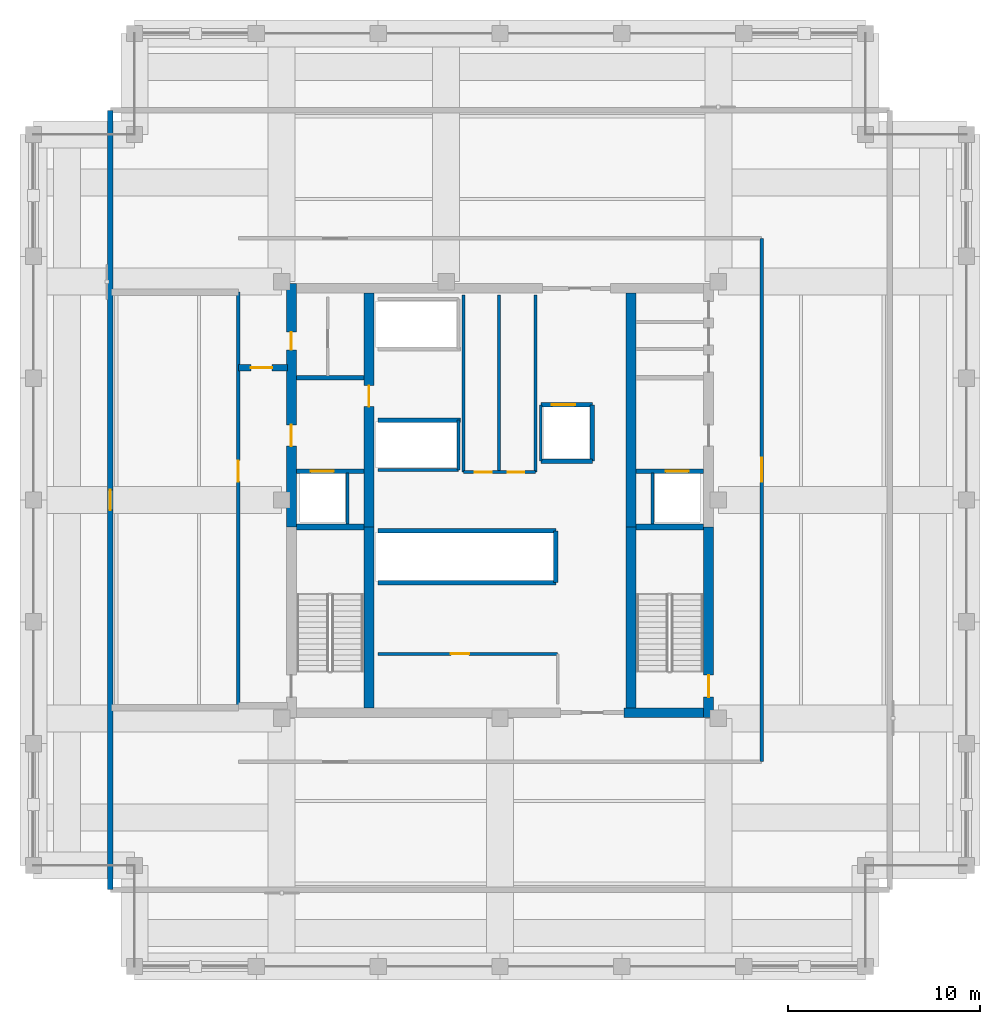
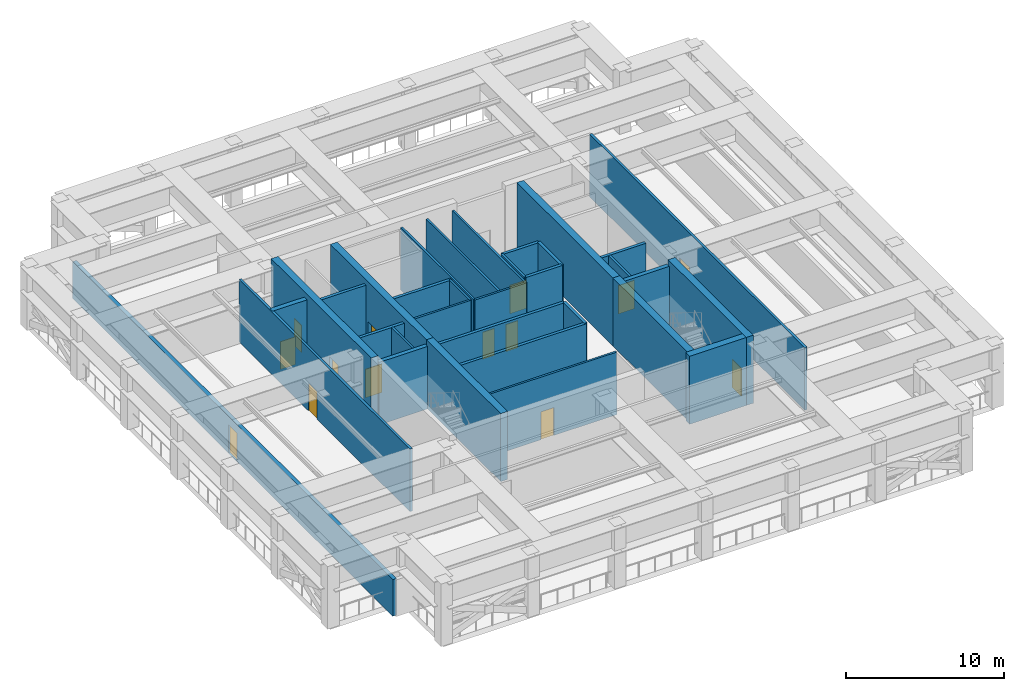
# One storey, part 3 of 10: 33 walls, 14 doors, 14 openings.
"""IFC4 building model written with IfcOpenShell, lengths in metres."""

from ifc_helpers import new_model, si_unit, direction, frame, frame_2d, origin, place, context, subcontext, project, spatial, rectangle, extrude, material, layer, layer_set, type_object, element, fill, save


model = new_model("IFC4")

# Units and contexts
model_context = context("Model", 3, precision=1e-05, world=origin(), true_north=direction((0.0, 1.0)))
body_context = subcontext(model_context, "Body", "Model", "MODEL_VIEW")
ifc_project = project(units=[si_unit("LENGTHUNIT", "METRE"), si_unit("AREAUNIT", "SQUARE_METRE"), si_unit("VOLUMEUNIT", "CUBIC_METRE"), si_unit("PLANEANGLEUNIT", "RADIAN"), si_unit("MASSUNIT", "GRAM", prefix="KILO")], contexts=[model_context])

# Site, building, storey
site_placement = place(None, origin())
site = spatial("IfcSite", under=ifc_project, at=site_placement, CompositionType="ELEMENT")
building_placement = place(site_placement, origin())
building = spatial("IfcBuilding", under=site, at=building_placement, Name="Nhamokura Convention Tower", CompositionType="ELEMENT")
storey_placement = place(building_placement, frame((0.0, 0.0, 252.35009765625)))
storey = spatial("IfcBuildingStorey", under=building, at=storey_placement, Name="L62", CompositionType="ELEMENT", Elevation=252.35009765625)

# Wall, opening, door
ifc_material_1 = material(Name="Bronze-pigmented precast concrete C45/55", Category="concrete")
ifc_layer_1 = layer(ifc_material_1, 0.280029296875)
ifc_layer_set_1 = layer_set([ifc_layer_1], Name="BronzePrecastSpandrel_280")
wall_type_1 = type_object("IfcWallType", Name="BronzePrecastSpandrel_280", PredefinedType="USERDEFINED", material=ifc_layer_set_1)
wall_1_placement = place(storey_placement, frame((11.75, 11.75, 0.0), z_axis=(0.0, 0.0, 1.0), x_axis=(0.0, 1.0, 0.0)))
wall_1 = element("IfcWall", 1, at=wall_1_placement, inside=storey, type_object=wall_type_1, Name="L62 Refuge Deck Enclosure Wall W", ObjectType="SPANDREL_WALL", PredefinedType="USERDEFINED", context=body_context, shape_type="SweptSolid", body=[
    extrude(rectangle(XDim=40.5, YDim=0.280029296875, at=frame_2d((20.25, 0.0))), origin(), (0.0, 0.0, 1.0), 2.829833984375),
])
opening_1_placement = place(wall_1_placement, frame((19.72509765625, 0.0, 0.0)))
opening_1 = element("IfcOpeningElement", 2, at=opening_1_placement, cuts=wall_1, Name="Opening D-06", PredefinedType="OPENING", context=body_context, shape_type="SweptSolid", body=[
    extrude(rectangle(XDim=1.050048828125, YDim=2.199951171875, at=frame_2d((0.52490234375, 1.10009765625))), frame((0.0, 0.14990234375, 0.0), z_axis=(0.0, -1.0, 0.0), x_axis=(1.0, 0.0, 0.0)), (0.0, 0.0, 1.0), 0.300048828125),
])
ifc_material_2 = material(Name="Anodised bronze aluminium AA6063-T6", Category="aluminium")
door_type_1 = type_object("IfcDoorType", Name="TerraceAccessDoor_1050", OperationType="NOTDEFINED", PredefinedType="DOOR", material=ifc_material_2)
door_1_placement = place(opening_1_placement, origin())
door_1 = element("IfcDoor", 3, at=door_1_placement, inside=storey, type_object=door_type_1, Name="L62 Refuge Deck Access Door W", OperationType="SINGLE_SWING_RIGHT", OverallHeight=2.199951171875, OverallWidth=1.050048828125, PredefinedType="DOOR", context=body_context, shape_type="SweptSolid", body=[
    extrude(rectangle(XDim=1.050048828125, YDim=2.199951171875, at=frame_2d((0.52490234375, 1.10009765625))), frame((0.0, 0.02490234375, 0.0), z_axis=(0.0, -1.0, 0.0), x_axis=(1.0, 0.0, 0.0)), (0.0, 0.0, 1.0), 0.050048828125),
])
fill(opening_1, door_1)

# Wall, openings, doors
ifc_material_3 = material(Name="Concrete C60/75", Category="concrete")
ifc_layer_2 = layer(ifc_material_3, 0.5)
ifc_layer_set_2 = layer_set([ifc_layer_2], Name="CoreShearWall_500")
wall_type_2 = type_object("IfcWallType", Name="CoreShearWall_500", PredefinedType="SHEAR", material=ifc_layer_set_2)
wall_2_placement = place(storey_placement, frame((21.159912109375, 30.60009765625, 0.0), z_axis=(0.0, 0.0, 1.0), x_axis=(0.0, 1.0, 0.0)))
wall_2 = element("IfcWall", 4, at=wall_2_placement, inside=storey, type_object=wall_type_2, Name="L62 Core Shear Wall CW-WN", PredefinedType="SHEAR", context=body_context, shape_type="SweptSolid", body=[
    extrude(rectangle(XDim=12.64990234375, YDim=0.5, at=frame_2d((6.324951171875, 0.0))), origin(), (0.0, 0.0, 1.0), 5.25),
])
opening_2_placement = place(wall_2_placement, frame((4.199951171875, 0.0, 0.0)))
opening_2 = element("IfcOpeningElement", 5, at=opening_2_placement, cuts=wall_2, Name="Opening D-05", PredefinedType="OPENING", context=body_context, shape_type="SweptSolid", body=[
    extrude(rectangle(XDim=1.10009765625, YDim=2.14990234375, at=frame_2d((0.550048828125, 1.074951171875))), frame((0.0, 0.260009765625, 0.0), z_axis=(0.0, -1.0, 0.0), x_axis=(1.0, 0.0, 0.0)), (0.0, 0.0, 1.0), 0.52001953125),
])
opening_3_placement = place(wall_2_placement, frame((9.199951171875, 0.0, 0.0)))
opening_3 = element("IfcOpeningElement", 6, at=opening_3_placement, cuts=wall_2, Name="Opening D-10", PredefinedType="OPENING", context=body_context, shape_type="SweptSolid", body=[
    extrude(rectangle(XDim=0.919921875, YDim=2.10009765625, at=frame_2d((0.4599609375, 1.050048828125))), frame((0.0, 0.260009765625, 0.0), z_axis=(0.0, -1.0, 0.0), x_axis=(1.0, 0.0, 0.0)), (0.0, 0.0, 1.0), 0.52001953125),
])
ifc_material_4 = material(Name="Solid oak hardwood", Category="wood")
door_type_2 = type_object("IfcDoorType", Name="AccessibleWCDoor_920", OperationType="NOTDEFINED", PredefinedType="DOOR", material=ifc_material_4)
door_2_placement = place(opening_3_placement, origin())
door_2 = element("IfcDoor", 7, at=door_2_placement, inside=storey, type_object=door_type_2, Name="L62 Core Door INT-L62-D-AWCW", OperationType="SINGLE_SWING_RIGHT", OverallHeight=2.10009765625, OverallWidth=0.919921875, PredefinedType="DOOR", context=body_context, shape_type="SweptSolid", body=[
    extrude(rectangle(XDim=0.919921875, YDim=2.10009765625, at=frame_2d((0.4599609375, 1.050048828125))), frame((0.0, 0.02490234375, 0.0), z_axis=(0.0, -1.0, 0.0), x_axis=(1.0, 0.0, 0.0)), (0.0, 0.0, 1.0), 0.050048828125),
])
fill(opening_3, door_2)
ifc_material_5 = material(Name="Fire-rated steel door", Category="steel")
door_type_3 = type_object("IfcDoorType", Name="FireLobbyDoor_1100", OperationType="NOTDEFINED", PredefinedType="DOOR", material=ifc_material_5)
door_3_placement = place(opening_2_placement, origin())
door_3 = element("IfcDoor", 8, at=door_3_placement, inside=storey, type_object=door_type_3, Name="L62 Core Door INT-L62-D-FFLW", OperationType="SINGLE_SWING_RIGHT", OverallHeight=2.14990234375, OverallWidth=1.10009765625, PredefinedType="DOOR", context=body_context, shape_type="SweptSolid", body=[
    extrude(rectangle(XDim=1.10009765625, YDim=2.14990234375, at=frame_2d((0.550048828125, 1.074951171875))), frame((0.0, 0.02490234375, 0.0), z_axis=(0.0, -1.0, 0.0), x_axis=(1.0, 0.0, 0.0)), (0.0, 0.0, 1.0), 0.050048828125),
])
fill(opening_2, door_3)

# Wall, opening, door
wall_3_placement = place(storey_placement, frame((42.840087890625, 20.699951171875, 0.0), z_axis=(0.0, 0.0, 1.0), x_axis=(0.0, 1.0, 0.0)))
wall_3 = element("IfcWall", 9, at=wall_3_placement, inside=storey, type_object=wall_type_2, Name="L62 Core Shear Wall CW-ES", PredefinedType="SHEAR", context=body_context, shape_type="SweptSolid", body=[
    extrude(rectangle(XDim=9.900146484375, YDim=0.5, at=frame_2d((4.9501953125, 0.0))), origin(), (0.0, 0.0, 1.0), 5.25),
])
opening_4_placement = place(wall_3_placement, frame((1.050048828125, 0.0, 0.0)))
opening_4 = element("IfcOpeningElement", 10, at=opening_4_placement, cuts=wall_3, Name="Opening D-04", PredefinedType="OPENING", context=body_context, shape_type="SweptSolid", body=[
    extrude(rectangle(XDim=1.14990234375, YDim=2.14990234375, at=frame_2d((0.574951171875, 1.074951171875))), frame((0.0, 0.260009765625, 0.0), z_axis=(0.0, -1.0, 0.0), x_axis=(1.0, 0.0, 0.0)), (0.0, 0.0, 1.0), 0.52001953125),
])
ifc_material_6 = material(Name="Fire-rated steel door", Category="steel")
door_type_4 = type_object("IfcDoorType", Name="StairSmokeDoor_1150", OperationType="NOTDEFINED", PredefinedType="DOOR", material=ifc_material_6)
door_4_placement = place(opening_4_placement, origin())
door_4 = element("IfcDoor", 11, at=door_4_placement, inside=storey, type_object=door_type_4, Name="L62 Core Door INT-L62-D-ST02", OperationType="SINGLE_SWING_RIGHT", OverallHeight=2.14990234375, OverallWidth=1.14990234375, PredefinedType="DOOR", context=body_context, shape_type="SweptSolid", body=[
    extrude(rectangle(XDim=1.14990234375, YDim=2.14990234375, at=frame_2d((0.574951171875, 1.074951171875))), frame((0.0, 0.02490234375, 0.0), z_axis=(0.0, -1.0, 0.0), x_axis=(1.0, 0.0, 0.0)), (0.0, 0.0, 1.0), 0.050048828125),
])
fill(opening_4, door_4)

# Walls
wall_4_placement = place(storey_placement, frame((38.449951171875, 20.949951171875, 0.0), z_axis=(0.0, 0.0, 1.0), x_axis=(1.0, 0.0, 0.0)))
element("IfcWall", 12, at=wall_4_placement, inside=storey, type_object=wall_type_2, Name="L62 Core Shear Wall CW-S2", PredefinedType="SHEAR", context=body_context, shape_type="SweptSolid", body=[
    extrude(rectangle(XDim=4.14013671875, YDim=0.5, at=frame_2d((2.070068359375, 0.0))), origin(), (0.0, 0.0, 1.0), 5.25),
])
wall_5_placement = place(storey_placement, frame((25.18994140625, 21.199951171875, 0.0), z_axis=(0.0, 0.0, 1.0), x_axis=(0.0, 1.0, 0.0)))
element("IfcWall", 13, at=wall_5_placement, inside=storey, type_object=wall_type_2, Name="L62 Core Shear Wall CW-IWS", PredefinedType="SHEAR", context=body_context, shape_type="SweptSolid", body=[
    extrude(rectangle(XDim=9.400146484375, YDim=0.5, at=frame_2d((4.7001953125, 0.0))), origin(), (0.0, 0.0, 1.0), 5.25),
])

# Wall, opening, door
wall_6_placement = place(storey_placement, frame((25.18994140625, 30.60009765625, 0.0), z_axis=(0.0, 0.0, 1.0), x_axis=(0.0, 1.0, 0.0)))
wall_6 = element("IfcWall", 14, at=wall_6_placement, inside=storey, type_object=wall_type_2, Name="L62 Core Shear Wall CW-IWN", PredefinedType="SHEAR", context=body_context, shape_type="SweptSolid", body=[
    extrude(rectangle(XDim=12.14990234375, YDim=0.5, at=frame_2d((6.074951171875, 0.0))), origin(), (0.0, 0.0, 1.0), 5.25),
])
opening_5_placement = place(wall_6_placement, frame((6.25, 0.0, 0.0)))
opening_5 = element("IfcOpeningElement", 15, at=opening_5_placement, cuts=wall_6, Name="Opening D-05", PredefinedType="OPENING", context=body_context, shape_type="SweptSolid", body=[
    extrude(rectangle(XDim=1.10009765625, YDim=2.14990234375, at=frame_2d((0.550048828125, 1.074951171875))), frame((0.0, 0.260009765625, 0.0), z_axis=(0.0, -1.0, 0.0), x_axis=(1.0, 0.0, 0.0)), (0.0, 0.0, 1.0), 0.52001953125),
])
door_5_placement = place(opening_5_placement, origin())
door_5 = element("IfcDoor", 16, at=door_5_placement, inside=storey, type_object=door_type_3, Name="L62 Core Door INT-L62-D-B3LOB", OperationType="SINGLE_SWING_LEFT", OverallHeight=2.14990234375, OverallWidth=1.10009765625, PredefinedType="DOOR", context=body_context, shape_type="SweptSolid", body=[
    extrude(rectangle(XDim=1.10009765625, YDim=2.14990234375, at=frame_2d((0.550048828125, 1.074951171875))), frame((0.0, 0.02490234375, 0.0), z_axis=(0.0, -1.0, 0.0), x_axis=(1.0, 0.0, 0.0)), (0.0, 0.0, 1.0), 0.050048828125),
])
fill(opening_5, door_5)

# Walls
wall_7_placement = place(storey_placement, frame((38.81005859375, 21.199951171875, 0.0), z_axis=(0.0, 0.0, 1.0), x_axis=(0.0, 1.0, 0.0)))
element("IfcWall", 17, at=wall_7_placement, inside=storey, type_object=wall_type_2, Name="L62 Core Shear Wall CW-IES", PredefinedType="SHEAR", context=body_context, shape_type="SweptSolid", body=[
    extrude(rectangle(XDim=9.400146484375, YDim=0.5, at=frame_2d((4.7001953125, 0.0))), origin(), (0.0, 0.0, 1.0), 5.25),
])
wall_8_placement = place(storey_placement, frame((38.81005859375, 30.60009765625, 0.0), z_axis=(0.0, 0.0, 1.0), x_axis=(0.0, 1.0, 0.0)))
element("IfcWall", 18, at=wall_8_placement, inside=storey, type_object=wall_type_2, Name="L62 Core Shear Wall CW-IEN", PredefinedType="SHEAR", context=body_context, shape_type="SweptSolid", body=[
    extrude(rectangle(XDim=12.14990234375, YDim=0.5, at=frame_2d((6.074951171875, 0.0))), origin(), (0.0, 0.0, 1.0), 5.25),
])

# Wall, opening, door
ifc_material_7 = material(Name="Fire-rated gypsum and masonry partition", Category="masonry")
ifc_layer_3 = layer(ifc_material_7, 0.179931640625)
ifc_layer_set_3 = layer_set([ifc_layer_3], Name="CorridorRatedWall_180")
wall_type_3 = type_object("IfcWallType", Name="CorridorRatedWall_180", PredefinedType="STANDARD", material=ifc_layer_set_3)
wall_9_placement = place(storey_placement, frame((18.39990234375, 21.199951171875, 0.0), z_axis=(0.0, 0.0, 1.0), x_axis=(0.0, 1.0, 0.0)))
wall_9 = element("IfcWall", 19, at=wall_9_placement, inside=storey, type_object=wall_type_3, Name="L62 Wall INT-L62-CW-W00", PredefinedType="STANDARD", context=body_context, shape_type="SweptSolid", body=[
    extrude(rectangle(XDim=21.60009765625, YDim=0.179931640625, at=frame_2d((10.800048828125, 0.0))), origin(), (0.0, 0.0, 1.0), 4.829833984375),
])
opening_6_placement = place(wall_9_placement, frame((11.75, 0.0, 0.0)))
opening_6 = element("IfcOpeningElement", 20, at=opening_6_placement, cuts=wall_9, Name="Opening D-05", PredefinedType="OPENING", context=body_context, shape_type="SweptSolid", body=[
    extrude(rectangle(XDim=1.10009765625, YDim=2.14990234375, at=frame_2d((0.550048828125, 1.074951171875))), frame((0.0, 0.099853515625, 0.0), z_axis=(0.0, -1.0, 0.0), x_axis=(1.0, 0.0, 0.0)), (0.0, 0.0, 1.0), 0.199951171875),
])
door_6_placement = place(opening_6_placement, origin())
door_6 = element("IfcDoor", 21, at=door_6_placement, inside=storey, type_object=door_type_3, Name="L62 Designated Fire Refuge Area W01 Door", OperationType="SINGLE_SWING_LEFT", OverallHeight=2.14990234375, OverallWidth=1.10009765625, PredefinedType="DOOR", context=body_context, shape_type="SweptSolid", body=[
    extrude(rectangle(XDim=1.10009765625, YDim=2.14990234375, at=frame_2d((0.550048828125, 1.074951171875))), frame((0.0, 0.02490234375, 0.0), z_axis=(0.0, -1.0, 0.0), x_axis=(1.0, 0.0, 0.0)), (0.0, 0.0, 1.0), 0.050048828125),
])
fill(opening_6, door_6)

wall_10_placement = place(storey_placement, frame((45.60009765625, 18.39990234375, 0.0), z_axis=(0.0, 0.0, 1.0), x_axis=(0.0, 1.0, 0.0)))
wall_10 = element("IfcWall", 22, at=wall_10_placement, inside=storey, type_object=wall_type_3, Name="L62 Wall INT-L62-CW-E00", PredefinedType="STANDARD", context=body_context, shape_type="SweptSolid", body=[
    extrude(rectangle(XDim=27.2001953125, YDim=0.179931640625, at=frame_2d((13.60009765625, 0.0))), origin(), (0.0, 0.0, 1.0), 4.829833984375),
])
opening_7_placement = place(wall_10_placement, frame((14.550048828125, 0.0, 0.0)))
opening_7 = element("IfcOpeningElement", 23, at=opening_7_placement, cuts=wall_10, Name="Opening D-12", PredefinedType="OPENING", context=body_context, shape_type="SweptSolid", body=[
    extrude(rectangle(XDim=1.25, YDim=2.199951171875, at=frame_2d((0.625, 1.10009765625))), frame((0.0, 0.099853515625, 0.0), z_axis=(0.0, -1.0, 0.0), x_axis=(1.0, 0.0, 0.0)), (0.0, 0.0, 1.0), 0.199951171875),
])
ifc_material_8 = material(Name="Fire-rated steel door", Category="steel")
door_type_5 = type_object("IfcDoorType", Name="PlantServiceDoor_1250", OperationType="NOTDEFINED", PredefinedType="DOOR", material=ifc_material_8)
door_7_placement = place(opening_7_placement, origin())
door_7 = element("IfcDoor", 24, at=door_7_placement, inside=storey, type_object=door_type_5, Name="L62 Chilled-Water Heat Exchanger Plant E01 Door", OperationType="SINGLE_SWING_LEFT", OverallHeight=2.199951171875, OverallWidth=1.25, PredefinedType="DOOR", context=body_context, shape_type="SweptSolid", body=[
    extrude(rectangle(XDim=1.25, YDim=2.199951171875, at=frame_2d((0.625, 1.10009765625))), frame((0.0, 0.02490234375, 0.0), z_axis=(0.0, -1.0, 0.0), x_axis=(1.0, 0.0, 0.0)), (0.0, 0.0, 1.0), 0.050048828125),
])
fill(opening_7, door_7)

ifc_material_9 = material(Name="Autoclaved concrete blockwork", Category="masonry")
ifc_layer_4 = layer(ifc_material_9, 0.219970703125)
ifc_layer_set_4 = layer_set([ifc_layer_4], Name="FireLobbyWall_220")
wall_type_4 = type_object("IfcWallType", Name="FireLobbyWall_220", PredefinedType="STANDARD", material=ifc_layer_set_4)
wall_11_placement = place(storey_placement, frame((21.409912109375, 33.5, 0.0), z_axis=(0.0, 0.0, 1.0), x_axis=(1.0, 0.0, 0.0)))
wall_11 = element("IfcWall", 25, at=wall_11_placement, inside=storey, type_object=wall_type_4, Name="L62 Wall INT-L62-FFW-S", PredefinedType="STANDARD", context=body_context, shape_type="SweptSolid", body=[
    extrude(rectangle(XDim=3.530029296875, YDim=0.219970703125, at=frame_2d((1.76513671875, 0.0))), origin(), (0.0, 0.0, 1.0), 4.829833984375),
])
opening_8_placement = place(wall_11_placement, frame((0.75, 0.0, 0.0)))
opening_8 = element("IfcOpeningElement", 26, at=opening_8_placement, cuts=wall_11, Name="Opening LD-02", PredefinedType="OPENING", context=body_context, shape_type="SweptSolid", body=[
    extrude(rectangle(XDim=1.199951171875, YDim=2.199951171875, at=frame_2d((0.60009765625, 1.10009765625))), frame((0.0, 0.119873046875, 0.0), z_axis=(0.0, -1.0, 0.0), x_axis=(1.0, 0.0, 0.0)), (0.0, 0.0, 1.0), 0.239990234375),
])
ifc_material_10 = material(Name="Anodised bronze stainless steel", Category="steel")
door_type_6 = type_object("IfcDoorType", Name="LiftLandingDoor_FireService", OperationType="DOUBLE_DOOR_SLIDING", PredefinedType="DOOR", material=ifc_material_10)
door_8_placement = place(opening_8_placement, origin())
door_8 = element("IfcDoor", 27, at=door_8_placement, inside=storey, type_object=door_type_6, Name="L62 Firefighting Lift LF-01 Door", OperationType="DOUBLE_DOOR_SLIDING", OverallHeight=2.199951171875, OverallWidth=1.199951171875, PredefinedType="DOOR", context=body_context, shape_type="SweptSolid", body=[
    extrude(rectangle(XDim=1.199951171875, YDim=2.199951171875, at=frame_2d((0.60009765625, 1.10009765625))), frame((0.0, 0.02490234375, 0.0), z_axis=(0.0, -1.0, 0.0), x_axis=(1.0, 0.0, 0.0)), (0.0, 0.0, 1.0), 0.050048828125),
])
fill(opening_8, door_8)

wall_12_placement = place(storey_placement, frame((39.06005859375, 33.5, 0.0), z_axis=(0.0, 0.0, 1.0), x_axis=(1.0, 0.0, 0.0)))
wall_12 = element("IfcWall", 28, at=wall_12_placement, inside=storey, type_object=wall_type_4, Name="L62 Wall INT-L62-FFE-S", PredefinedType="STANDARD", context=body_context, shape_type="SweptSolid", body=[
    extrude(rectangle(XDim=3.530029296875, YDim=0.219970703125, at=frame_2d((1.76513671875, 0.0))), origin(), (0.0, 0.0, 1.0), 4.829833984375),
])
opening_9_placement = place(wall_12_placement, frame((1.550048828125, 0.0, 0.0)))
opening_9 = element("IfcOpeningElement", 29, at=opening_9_placement, cuts=wall_12, Name="Opening LD-02", PredefinedType="OPENING", context=body_context, shape_type="SweptSolid", body=[
    extrude(rectangle(XDim=1.199951171875, YDim=2.199951171875, at=frame_2d((0.60009765625, 1.10009765625))), frame((0.0, 0.119873046875, 0.0), z_axis=(0.0, -1.0, 0.0), x_axis=(1.0, 0.0, 0.0)), (0.0, 0.0, 1.0), 0.239990234375),
])
door_9_placement = place(opening_9_placement, origin())
door_9 = element("IfcDoor", 30, at=door_9_placement, inside=storey, type_object=door_type_6, Name="L62 Firefighting Lift LF-02 Door", OperationType="DOUBLE_DOOR_SLIDING", OverallHeight=2.199951171875, OverallWidth=1.199951171875, PredefinedType="DOOR", context=body_context, shape_type="SweptSolid", body=[
    extrude(rectangle(XDim=1.199951171875, YDim=2.199951171875, at=frame_2d((0.60009765625, 1.10009765625))), frame((0.0, 0.02490234375, 0.0), z_axis=(0.0, -1.0, 0.0), x_axis=(1.0, 0.0, 0.0)), (0.0, 0.0, 1.0), 0.050048828125),
])
fill(opening_9, door_9)

# Walls
wall_13_placement = place(storey_placement, frame((21.409912109375, 38.35009765625, 0.0), z_axis=(0.0, 0.0, 1.0), x_axis=(1.0, 0.0, 0.0)))
element("IfcWall", 31, at=wall_13_placement, inside=storey, type_object=wall_type_4, Name="L62 Wall INT-L62-FFW-N", PredefinedType="STANDARD", context=body_context, shape_type="SweptSolid", body=[
    extrude(rectangle(XDim=3.530029296875, YDim=0.219970703125, at=frame_2d((1.76513671875, 0.0))), origin(), (0.0, 0.0, 1.0), 4.829833984375),
])
for number, where, z_axis, x_axis, name in (
    (32, (25.64990234375, 27.699951171875, 0.0), (0.0, 0.0, 1.0), (1.0, 0.0, 0.0), "L62 Wall INT-L62-B2S"),
    (33, (25.64990234375, 30.39990234375, 0.0), (0.0, 0.0, 1.0), (1.0, 0.0, 0.0), "L62 Wall INT-L62-B2N"),
):
    element("IfcWall", number, at=place(storey_placement, frame(where, z_axis=z_axis, x_axis=x_axis)), inside=storey, type_object=wall_type_4, Name=name, PredefinedType="STANDARD", context=body_context, shape_type="SweptSolid", body=[
        extrude(rectangle(XDim=9.25, YDim=0.219970703125, at=frame_2d((4.625, 0.0))), origin(), (0.0, 0.0, 1.0), 4.829833984375),
    ])
wall_14_placement = place(storey_placement, frame((34.89990234375, 27.699951171875, 0.0), z_axis=(0.0, 0.0, 1.0), x_axis=(0.0, 1.0, 0.0)))
element("IfcWall", 34, at=wall_14_placement, inside=storey, type_object=wall_type_4, Name="L62 Wall INT-L62-B2E", PredefinedType="STANDARD", context=body_context, shape_type="SweptSolid", body=[
    extrude(rectangle(XDim=2.699951171875, YDim=0.219970703125, at=frame_2d((1.35009765625, 0.0))), origin(), (0.0, 0.0, 1.0), 4.829833984375),
])
wall_15_placement = place(storey_placement, frame((25.64990234375, 36.14990234375, 0.0), z_axis=(0.0, 0.0, 1.0), x_axis=(1.0, 0.0, 0.0)))
element("IfcWall", 35, at=wall_15_placement, inside=storey, type_object=wall_type_4, Name="L62 Wall INT-L62-B3S", PredefinedType="STANDARD", context=body_context, shape_type="SweptSolid", body=[
    extrude(rectangle(XDim=4.300048828125, YDim=0.219970703125, at=frame_2d((2.14990234375, 0.0))), origin(), (0.0, 0.0, 1.0), 4.829833984375),
])

# Wall, opening, door
wall_16_placement = place(storey_placement, frame((34.1201171875, 36.949951171875, 0.0), z_axis=(0.0, 0.0, 1.0), x_axis=(1.0, 0.0, 0.0)))
wall_16 = element("IfcWall", 36, at=wall_16_placement, inside=storey, type_object=wall_type_4, Name="L62 Wall INT-L62-LSN", PredefinedType="STANDARD", context=body_context, shape_type="SweptSolid", body=[
    extrude(rectangle(XDim=2.679931640625, YDim=0.219970703125, at=frame_2d((1.33984375, 0.0))), origin(), (0.0, 0.0, 1.0), 4.829833984375),
])
opening_10_placement = place(wall_16_placement, frame((0.580078125, 0.0, 0.0)))
opening_10 = element("IfcOpeningElement", 37, at=opening_10_placement, cuts=wall_16, Name="Opening LD-02", PredefinedType="OPENING", context=body_context, shape_type="SweptSolid", body=[
    extrude(rectangle(XDim=1.199951171875, YDim=2.199951171875, at=frame_2d((0.60009765625, 1.10009765625))), frame((0.0, 0.119873046875, 0.0), z_axis=(0.0, -1.0, 0.0), x_axis=(1.0, 0.0, 0.0)), (0.0, 0.0, 1.0), 0.239990234375),
])
door_10_placement = place(opening_10_placement, origin())
door_10 = element("IfcDoor", 38, at=door_10_placement, inside=storey, type_object=door_type_6, Name="L62 Service Lift LS-01 Door", OperationType="DOUBLE_DOOR_SLIDING", OverallHeight=2.199951171875, OverallWidth=1.199951171875, PredefinedType="DOOR", context=body_context, shape_type="SweptSolid", body=[
    extrude(rectangle(XDim=1.199951171875, YDim=2.199951171875, at=frame_2d((0.60009765625, 1.10009765625))), frame((0.0, 0.02490234375, 0.0), z_axis=(0.0, -1.0, 0.0), x_axis=(1.0, 0.0, 0.0)), (0.0, 0.0, 1.0), 0.050048828125),
])
fill(opening_10, door_10)

# Walls
wall_17_placement = place(storey_placement, frame((36.800048828125, 34.02001953125, 0.0), z_axis=(0.0, 0.0, 1.0), x_axis=(0.0, 1.0, 0.0)))
element("IfcWall", 39, at=wall_17_placement, inside=storey, type_object=wall_type_4, Name="L62 Wall INT-L62-LSE", PredefinedType="STANDARD", context=body_context, shape_type="SweptSolid", body=[
    extrude(rectangle(XDim=2.929931640625, YDim=0.219970703125, at=frame_2d((1.46484375, 0.0))), origin(), (0.0, 0.0, 1.0), 4.829833984375),
])
wall_18_placement = place(storey_placement, frame((34.1201171875, 34.02001953125, 0.0), z_axis=(0.0, 0.0, 1.0), x_axis=(1.0, 0.0, 0.0)))
element("IfcWall", 40, at=wall_18_placement, inside=storey, type_object=wall_type_4, Name="L62 Wall INT-L62-LSS", PredefinedType="STANDARD", context=body_context, shape_type="SweptSolid", body=[
    extrude(rectangle(XDim=2.679931640625, YDim=0.219970703125, at=frame_2d((1.33984375, 0.0))), origin(), (0.0, 0.0, 1.0), 4.829833984375),
])

# Wall, opening, door
ifc_material_11 = material(Name="Concrete C50/60", Category="concrete")
ifc_layer_5 = layer(ifc_material_11, 0.35009765625)
ifc_layer_set_5 = layer_set([ifc_layer_5], Name="FirewallPlant_350")
wall_type_5 = type_object("IfcWallType", Name="FirewallPlant_350", PredefinedType="STANDARD", material=ifc_layer_set_5)
wall_19_placement = place(storey_placement, frame((18.39990234375, 38.8798828125, 0.0), z_axis=(0.0, 0.0, 1.0), x_axis=(1.0, 0.0, 0.0)))
wall_19 = element("IfcWall", 41, at=wall_19_placement, inside=storey, type_object=wall_type_5, Name="L62 Wall INT-L62-RLOB-N", PredefinedType="STANDARD", context=body_context, shape_type="SweptSolid", body=[
    extrude(rectangle(XDim=2.550048828125, YDim=0.35009765625, at=frame_2d((1.27490234375, 0.0))), origin(), (0.0, 0.0, 1.0), 4.829833984375),
])
opening_11_placement = place(wall_19_placement, frame((0.64990234375, 0.0, 0.0)))
opening_11 = element("IfcOpeningElement", 42, at=opening_11_placement, cuts=wall_19, Name="Opening D-05", PredefinedType="OPENING", context=body_context, shape_type="SweptSolid", body=[
    extrude(rectangle(XDim=1.10009765625, YDim=2.14990234375, at=frame_2d((0.550048828125, 1.074951171875))), frame((0.0, 0.18505859375, 0.0), z_axis=(0.0, -1.0, 0.0), x_axis=(1.0, 0.0, 0.0)), (0.0, 0.0, 1.0), 0.3701171875),
])
door_11_placement = place(opening_11_placement, origin())
door_11 = element("IfcDoor", 43, at=door_11_placement, inside=storey, type_object=door_type_3, Name="L62 Refuge Lobby North Door", OperationType="SINGLE_SWING_RIGHT", OverallHeight=2.14990234375, OverallWidth=1.10009765625, PredefinedType="DOOR", context=body_context, shape_type="SweptSolid", body=[
    extrude(rectangle(XDim=1.10009765625, YDim=2.14990234375, at=frame_2d((0.550048828125, 1.074951171875))), frame((0.0, 0.02490234375, 0.0), z_axis=(0.0, -1.0, 0.0), x_axis=(1.0, 0.0, 0.0)), (0.0, 0.0, 1.0), 0.050048828125),
])
fill(opening_11, door_11)

# Walls
ifc_material_12 = material(Name="Acoustic gypsum stud partition", Category="masonry")
ifc_layer_6 = layer(ifc_material_12, 0.14990234375)
ifc_layer_set_6 = layer_set([ifc_layer_6], Name="InteriorPartition_150")
wall_type_6 = type_object("IfcWallType", Name="InteriorPartition_150", PredefinedType="STANDARD", material=ifc_layer_set_6)
for number, where, z_axis, x_axis, name in (
    (44, (24.080078125, 30.75, 0.0), (0.0, 0.0, 1.0), (0.0, 1.0, 0.0), "L62 Wall INT-L62-FF1-E"),
    (45, (39.919921875, 30.75, 0.0), (0.0, 0.0, 1.0), (0.0, 1.0, 0.0), "L62 Wall INT-L62-FF2-W"),
):
    element("IfcWall", number, at=place(storey_placement, frame(where, z_axis=z_axis, x_axis=x_axis)), inside=storey, type_object=wall_type_6, Name=name, PredefinedType="STANDARD", context=body_context, shape_type="SweptSolid", body=[
        extrude(rectangle(XDim=2.64990234375, YDim=0.14990234375, at=frame_2d((1.324951171875, 0.0))), origin(), (0.0, 0.0, 1.0), 4.829833984375),
    ])

# Wall, opening, door
wall_20_placement = place(storey_placement, frame((25.64990234375, 24.0, 0.0), z_axis=(0.0, 0.0, 1.0), x_axis=(1.0, 0.0, 0.0)))
wall_20 = element("IfcWall", 46, at=wall_20_placement, inside=storey, type_object=wall_type_6, Name="L62 Wall INT-L62-B1R-N", PredefinedType="STANDARD", context=body_context, shape_type="SweptSolid", body=[
    extrude(rectangle(XDim=9.35009765625, YDim=0.14990234375, at=frame_2d((4.675048828125, 0.0))), origin(), (0.0, 0.0, 1.0), 4.829833984375),
])
opening_12_placement = place(wall_20_placement, frame((3.800048828125, 0.0, 0.0)))
opening_12 = element("IfcOpeningElement", 47, at=opening_12_placement, cuts=wall_20, Name="Opening D-09", PredefinedType="OPENING", context=body_context, shape_type="SweptSolid", body=[
    extrude(rectangle(XDim=0.949951171875, YDim=2.14990234375, at=frame_2d((0.47509765625, 1.074951171875))), frame((0.0, 0.0849609375, 0.0), z_axis=(0.0, -1.0, 0.0), x_axis=(1.0, 0.0, 0.0)), (0.0, 0.0, 1.0), 0.169921875),
])
ifc_material_13 = material(Name="Solid oak hardwood", Category="wood")
door_type_7 = type_object("IfcDoorType", Name="MeetingRoomDoor_950", OperationType="NOTDEFINED", PredefinedType="DOOR", material=ifc_material_13)
door_12_placement = place(opening_12_placement, origin())
door_12 = element("IfcDoor", 48, at=door_12_placement, inside=storey, type_object=door_type_7, Name="L62 Reclaimed Briefing Room Door", OperationType="SINGLE_SWING_LEFT", OverallHeight=2.14990234375, OverallWidth=0.949951171875, PredefinedType="DOOR", context=body_context, shape_type="SweptSolid", body=[
    extrude(rectangle(XDim=0.949951171875, YDim=2.14990234375, at=frame_2d((0.47509765625, 1.074951171875))), frame((0.0, 0.02490234375, 0.0), z_axis=(0.0, -1.0, 0.0), x_axis=(1.0, 0.0, 0.0)), (0.0, 0.0, 1.0), 0.050048828125),
])
fill(opening_12, door_12)

# Walls
wall_21_placement = place(storey_placement, frame((25.64990234375, 33.550048828125, 0.0), z_axis=(0.0, 0.0, 1.0), x_axis=(1.0, 0.0, 0.0)))
element("IfcWall", 49, at=wall_21_placement, inside=storey, type_object=wall_type_6, Name="L62 Wall INT-L62-B3A-S", PredefinedType="STANDARD", context=body_context, shape_type="SweptSolid", body=[
    extrude(rectangle(XDim=4.2001953125, YDim=0.14990234375, at=frame_2d((2.10009765625, 0.0))), origin(), (0.0, 0.0, 1.0), 4.829833984375),
])
wall_22_placement = place(storey_placement, frame((29.85009765625, 33.550048828125, 0.0), z_axis=(0.0, 0.0, 1.0), x_axis=(0.0, 1.0, 0.0)))
element("IfcWall", 50, at=wall_22_placement, inside=storey, type_object=wall_type_6, Name="L62 Wall INT-L62-B3A-E", PredefinedType="STANDARD", context=body_context, shape_type="SweptSolid", body=[
    extrude(rectangle(XDim=2.599853515625, YDim=0.14990234375, at=frame_2d((1.2998046875, 0.0))), origin(), (0.0, 0.0, 1.0), 4.829833984375),
])
for number, where, z_axis, x_axis, name in (
    (51, (30.10009765625, 33.449951171875, 0.0), (0.0, 0.0, 1.0), (0.0, 1.0, 0.0), "L62 Wall INT-L62-ST03W"),
    (52, (31.949951171875, 33.449951171875, 0.0), (0.0, 0.0, 1.0), (0.0, 1.0, 0.0), "L62 Wall INT-L62-ST03M"),
    (53, (33.85009765625, 33.449951171875, 0.0), (0.0, 0.0, 1.0), (0.0, 1.0, 0.0), "L62 Wall INT-L62-ST03E"),
):
    element("IfcWall", number, at=place(storey_placement, frame(where, z_axis=z_axis, x_axis=x_axis)), inside=storey, type_object=wall_type_6, Name=name, PredefinedType="STANDARD", context=body_context, shape_type="SweptSolid", body=[
        extrude(rectangle(XDim=9.199951171875, YDim=0.14990234375, at=frame_2d((4.60009765625, 0.0))), origin(), (0.0, 0.0, 1.0), 4.829833984375),
    ])

# Wall, openings, doors
wall_23_placement = place(storey_placement, frame((30.10009765625, 33.449951171875, 0.0), z_axis=(0.0, 0.0, 1.0), x_axis=(1.0, 0.0, 0.0)))
wall_23 = element("IfcWall", 54, at=wall_23_placement, inside=storey, type_object=wall_type_6, Name="L62 Wall INT-L62-ST03S", PredefinedType="STANDARD", context=body_context, shape_type="SweptSolid", body=[
    extrude(rectangle(XDim=3.75, YDim=0.14990234375, at=frame_2d((1.875, 0.0))), origin(), (0.0, 0.0, 1.0), 4.829833984375),
])
opening_13_placement = place(wall_23_placement, frame((0.580078125, 0.0, 0.0)))
opening_13 = element("IfcOpeningElement", 55, at=opening_13_placement, cuts=wall_23, Name="Opening D-11", PredefinedType="OPENING", context=body_context, shape_type="SweptSolid", body=[
    extrude(rectangle(XDim=0.8798828125, YDim=2.10009765625, at=frame_2d((0.43994140625, 1.050048828125))), frame((0.0, 0.0849609375, 0.0), z_axis=(0.0, -1.0, 0.0), x_axis=(1.0, 0.0, 0.0)), (0.0, 0.0, 1.0), 0.169921875),
])
opening_14_placement = place(wall_23_placement, frame((2.2900390625, 0.0, 0.0)))
opening_14 = element("IfcOpeningElement", 56, at=opening_14_placement, cuts=wall_23, Name="Opening D-11", PredefinedType="OPENING", context=body_context, shape_type="SweptSolid", body=[
    extrude(rectangle(XDim=0.8798828125, YDim=2.10009765625, at=frame_2d((0.43994140625, 1.050048828125))), frame((0.0, 0.0849609375, 0.0), z_axis=(0.0, -1.0, 0.0), x_axis=(1.0, 0.0, 0.0)), (0.0, 0.0, 1.0), 0.169921875),
])
ifc_material_14 = material(Name="Solid oak hardwood", Category="wood")
door_type_8 = type_object("IfcDoorType", Name="BathroomDoor_880", OperationType="NOTDEFINED", PredefinedType="DOOR", material=ifc_material_14)
door_13_placement = place(opening_13_placement, origin())
door_13 = element("IfcDoor", 57, at=door_13_placement, inside=storey, type_object=door_type_8, Name="L62 Wellness Suite Door", OperationType="SINGLE_SWING_LEFT", OverallHeight=2.10009765625, OverallWidth=0.8798828125, PredefinedType="DOOR", context=body_context, shape_type="SweptSolid", body=[
    extrude(rectangle(XDim=0.8798828125, YDim=2.10009765625, at=frame_2d((0.43994140625, 1.050048828125))), frame((0.0, 0.02490234375, 0.0), z_axis=(0.0, -1.0, 0.0), x_axis=(1.0, 0.0, 0.0)), (0.0, 0.0, 1.0), 0.050048828125),
])
fill(opening_13, door_13)
door_14_placement = place(opening_14_placement, origin())
door_14 = element("IfcDoor", 58, at=door_14_placement, inside=storey, type_object=door_type_8, Name="L62 Records Archive Door", OperationType="SINGLE_SWING_RIGHT", OverallHeight=2.10009765625, OverallWidth=0.8798828125, PredefinedType="DOOR", context=body_context, shape_type="SweptSolid", body=[
    extrude(rectangle(XDim=0.8798828125, YDim=2.10009765625, at=frame_2d((0.43994140625, 1.050048828125))), frame((0.0, 0.02490234375, 0.0), z_axis=(0.0, -1.0, 0.0), x_axis=(1.0, 0.0, 0.0)), (0.0, 0.0, 1.0), 0.050048828125),
])
fill(opening_14, door_14)

# Walls
wall_24_placement = place(storey_placement, frame((34.1201171875, 34.02001953125, 0.0), z_axis=(0.0, 0.0, 1.0), x_axis=(0.0, 1.0, 0.0)))
element("IfcWall", 59, at=wall_24_placement, inside=storey, type_object=wall_type_6, Name="L62 Wall INT-L62-LSW", PredefinedType="STANDARD", context=body_context, shape_type="SweptSolid", body=[
    extrude(rectangle(XDim=2.929931640625, YDim=0.14990234375, at=frame_2d((1.46484375, 0.0))), origin(), (0.0, 0.0, 1.0), 4.829833984375),
])
ifc_material_15 = material(Name="Concrete C50/60", Category="concrete")
ifc_layer_7 = layer(ifc_material_15, 0.300048828125)
ifc_layer_set_7 = layer_set([ifc_layer_7], Name="ShaftEnclosureWall_300")
wall_type_7 = type_object("IfcWallType", Name="ShaftEnclosureWall_300", PredefinedType="SHEAR", material=ifc_layer_set_7)
for number, where, z_axis, x_axis, name in (
    (60, (21.409912109375, 30.60009765625, 0.0), (0.0, 0.0, 1.0), (1.0, 0.0, 0.0), "L62 Wall INT-L62-ST01-N"),
    (61, (39.06005859375, 30.60009765625, 0.0), (0.0, 0.0, 1.0), (1.0, 0.0, 0.0), "L62 Wall INT-L62-ST02-N"),
):
    element("IfcWall", number, at=place(storey_placement, frame(where, z_axis=z_axis, x_axis=x_axis)), inside=storey, type_object=wall_type_7, Name=name, PredefinedType="SHEAR", context=body_context, shape_type="SweptSolid", body=[
        extrude(rectangle(XDim=3.530029296875, YDim=0.300048828125, at=frame_2d((1.76513671875, 0.0))), origin(), (0.0, 0.0, 1.0), 4.829833984375),
    ])

save(model, "model.ifc")
